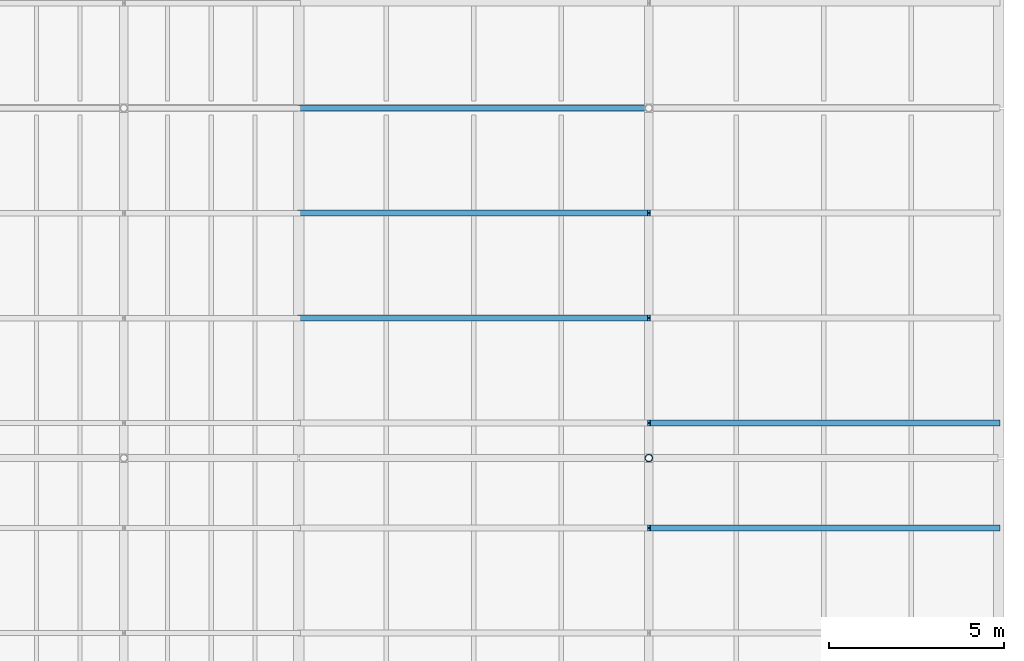
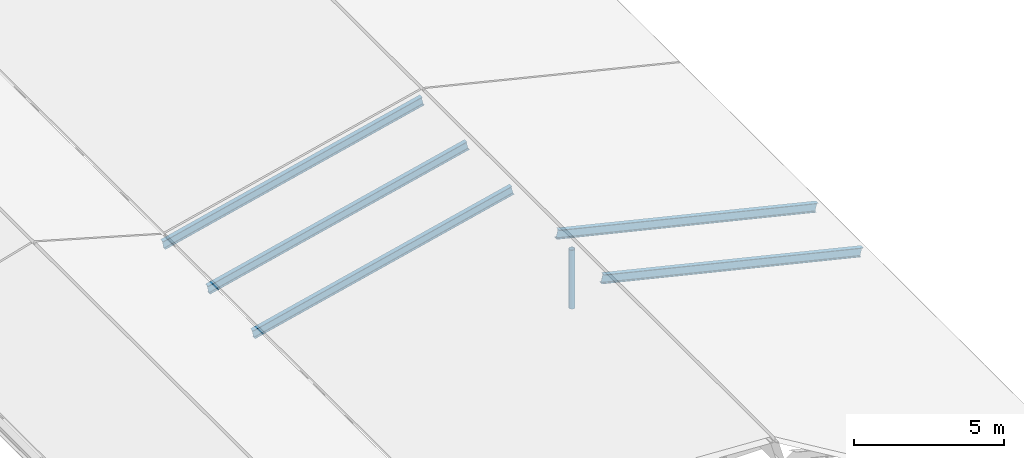
# One storey, part 62 of 90: 6 members.
"""IFC4 building model written with IfcOpenShell, lengths in metres."""

from ifc_helpers import new_model, si_unit, direction, frame, origin, origin_2d, place, context, subcontext, project, spatial, hollow_circle, i_section, extrude, material, material_profile, profile_set, type_object, element, save


model = new_model("IFC4")

# Units and contexts
model_context = context("Model", 3, precision=1e-05, world=origin(), true_north=direction((0.0, 1.0)))
body_context = subcontext(model_context, "Body", "Model", "MODEL_VIEW")
ifc_project = project(units=[si_unit("LENGTHUNIT", "METRE"), si_unit("AREAUNIT", "SQUARE_METRE"), si_unit("VOLUMEUNIT", "CUBIC_METRE"), si_unit("PLANEANGLEUNIT", "RADIAN"), si_unit("MASSUNIT", "GRAM", prefix="KILO"), si_unit("THERMODYNAMICTEMPERATUREUNIT", "KELVIN"), si_unit("POWERUNIT", "WATT")], contexts=[model_context])

# Site, building, storey
site_placement = place(None, origin())
site = spatial("IfcSite", under=ifc_project, at=site_placement, CompositionType="ELEMENT")
building_placement = place(site_placement, origin())
building = spatial("IfcBuilding", under=site, at=building_placement, Name="Korenveer Ferry Terminal", CompositionType="ELEMENT")
storey_placement = place(building_placement, frame((0.0, 0.0, 22.199951171875)))
storey = spatial("IfcBuildingStorey", under=building, at=storey_placement, Name="RF", CompositionType="ELEMENT", Elevation=22.199951171875)

# Members
ifc_material = material(Name="Steel S355", Category="steel")
ifc_material_profile_1 = material_profile(ifc_material, i_section(OverallWidth=0.169921875, OverallDepth=0.360107421875, WebThickness=0.008056640625, FlangeThickness=0.0126953125, FilletRadius=0.01806640625, at=origin_2d()), Name="IPE 360")
ifc_profile_set_1 = profile_set([ifc_material_profile_1], Name="Steel S355")
member_type_1 = type_object("IfcMemberType", Name="STR-RAF-IPE360", PredefinedType="RAFTER", material=ifc_profile_set_1)
for number, where, z_axis, x_axis, name in (
    (1, (166.0, 38.0, -5.219970703125), (0.972389456854, 0.0, -0.233363973654), (0.0, 1.0, 0.0), "Pitched roof rafter 14"),
    (2, (166.0, 41.0, -5.219970703125), (0.972389456854, 0.0, -0.233363973654), (0.0, 1.0, 0.0), "Pitched roof rafter 16"),
    (3, (156.0, 44.0, -7.619873046875), (0.972389456854, 0.0, 0.233363973654), (0.0, 1.0, 0.0), "Pitched roof rafter 17"),
    (4, (156.0, 47.0, -7.619873046875), (0.972389456854, 0.0, 0.233363973654), (0.0, 1.0, 0.0), "Pitched roof rafter 19"),
    (5, (156.0, 50.0, -7.619873046875), (0.972389456854, 0.0, 0.233363973654), (0.0, 1.0, 0.0), "Pitched roof rafter 21"),
):
    element("IfcMember", number, at=place(storey_placement, frame(where, z_axis=z_axis, x_axis=x_axis)), inside=storey, type_object=member_type_1, Name=name, PredefinedType="RAFTER", context=body_context, shape_type="SweptSolid", body=[
        extrude(i_section(OverallWidth=0.169921875, OverallDepth=0.360107421875, WebThickness=0.008056640625, FlangeThickness=0.0126953125, FilletRadius=0.01806640625, at=origin_2d()), origin(), (0.0, 0.0, 1.0), 10.283935546875),
    ])
ifc_material_profile_2 = material_profile(ifc_material, hollow_circle(Radius=0.109619140625, WallThickness=0.012451171875, at=origin_2d()), Name="CHS 219.1x12.5")
ifc_profile_set_2 = profile_set([ifc_material_profile_2], Name="Steel S355")
member_type_2 = type_object("IfcMemberType", Name="STR-STT-CHS219", PredefinedType="STRUT", material=ifc_profile_set_2)
member_placement = place(storey_placement, frame((166.0, 40.0, -7.619873046875), z_axis=(0.0, 0.0, 1.0), x_axis=(1.0, 0.0, 0.0)))
element("IfcMember", 6, at=member_placement, inside=storey, type_object=member_type_2, Name="Wing ridge strut STTWR-EAST-Y40", PredefinedType="STRUT", context=body_context, shape_type="SweptSolid", body=[
    extrude(hollow_circle(Radius=0.109619140625, WallThickness=0.012451171875, at=origin_2d()), origin(), (0.0, 0.0, 1.0), 2.39990234375),
])

save(model, "model.ifc")
